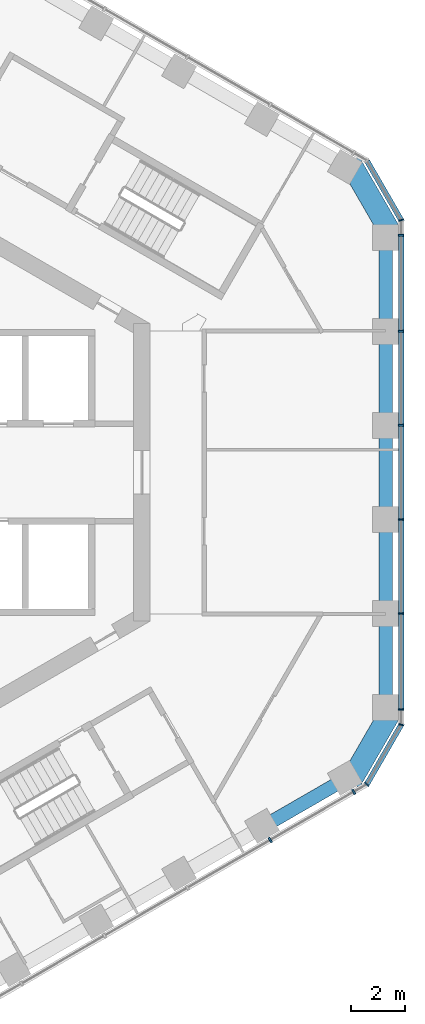
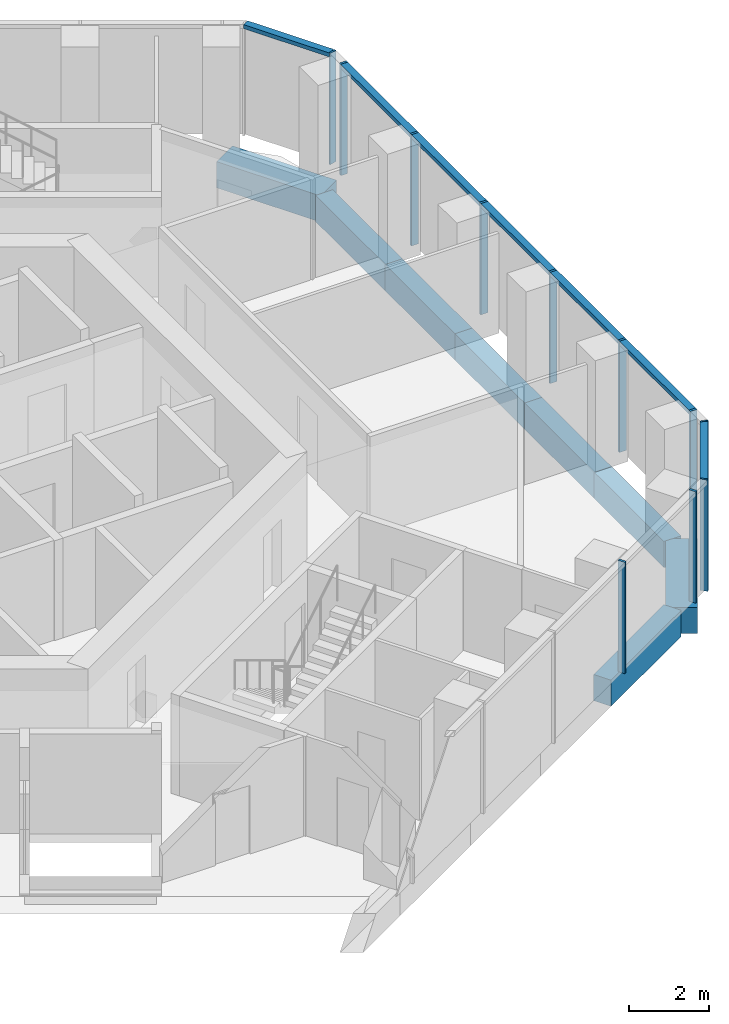
# One storey, part 5 of 19: 14 members, 8 beams, 4 elements without a shape of their own.
"""IFC4 building model written with IfcOpenShell, lengths in metres."""

from ifc_helpers import new_model, si_unit, direction, frame, origin, origin_2d, place, context, subcontext, project, spatial, rectangle, extrude, material, layer, layer_set, material_profile, profile_set, type_object, element, aggregate, save


model = new_model("IFC4")

# Units and contexts
model_context = context("Model", 3, precision=1e-05, world=origin(), true_north=direction((0.0, 1.0)))
body_context = subcontext(model_context, "Body", "Model", "MODEL_VIEW")
ifc_project = project(units=[si_unit("LENGTHUNIT", "METRE"), si_unit("AREAUNIT", "SQUARE_METRE"), si_unit("VOLUMEUNIT", "CUBIC_METRE"), si_unit("PLANEANGLEUNIT", "RADIAN"), si_unit("MASSUNIT", "GRAM", prefix="KILO")], contexts=[model_context])

# Site, building, storey
site_placement = place(None, origin())
site = spatial("IfcSite", under=ifc_project, at=site_placement, CompositionType="ELEMENT")
building_placement = place(site_placement, origin())
building = spatial("IfcBuilding", under=site, at=building_placement, Name="Ayvan Gate Tower", CompositionType="ELEMENT")
storey_placement = place(building_placement, frame((0.0, 0.0, 156.10009765625)))
storey = spatial("IfcBuildingStorey", under=building, at=storey_placement, Name="L41", CompositionType="ELEMENT", Elevation=156.10009765625)

# Beams
ifc_material_1 = material(Name="Concrete C40/50", Category="concrete")
ifc_material_profile_1 = material_profile(ifc_material_1, rectangle(XDim=0.800048828125, YDim=0.800048828125, at=origin_2d()), Name="RC 800x800")
ifc_profile_set_1 = profile_set([ifc_material_profile_1], Name="Concrete C40/50")
beam_type_1 = type_object("IfcBeamType", Name="Corner spandrel beam RC 800x800 C40/50", PredefinedType="BEAM", material=ifc_profile_set_1)
for number, where, z_axis, x_axis, name in (
    (1, (18.376953125, 8.824462890625, -0.75), (-0.499990139034, 0.866031096941, 0.0), (-0.866031096941, -0.499990139034, 0.0), "SB-L41-6"),
    (2, (16.876953125, -11.422607421875, -0.75), (0.499990139034, 0.866031096941, 0.0), (-0.866031096941, 0.499990139034, 0.0), "SB-L41-36"),
):
    element("IfcBeam", number, at=place(storey_placement, frame(where, z_axis=z_axis, x_axis=x_axis)), inside=storey, type_object=beam_type_1, Name=name, PredefinedType="BEAM", context=body_context, shape_type="SweptSolid", body=[
        extrude(rectangle(XDim=0.800048828125, YDim=0.800048828125, at=origin_2d()), origin(), (0.0, 0.0, 1.0), 3.0),
    ])
ifc_material_profile_2 = material_profile(ifc_material_1, rectangle(XDim=0.5, YDim=0.800048828125, at=origin_2d()), Name="RC 500x800")
ifc_profile_set_2 = profile_set([ifc_material_profile_2], Name="Concrete C40/50")
beam_type_2 = type_object("IfcBeamType", Name="Spandrel beam RC 500x800 C40/50", PredefinedType="BEAM", material=ifc_profile_set_2)
for number, where, z_axis, x_axis, name in (
    (3, (18.1865234375, -8.714599609375, -0.75), (0.0, 1.0, 0.0), (-1.0, 0.0, 0.0), "SB-L41-1"),
    (4, (18.1865234375, -5.228759765625, -0.75), (0.0, 1.0, 0.0), (-1.0, 0.0, 0.0), "SB-L41-2"),
    (5, (18.1865234375, -1.742919921875, -0.75), (0.0, 1.0, 0.0), (-1.0, 0.0, 0.0), "SB-L41-3"),
    (6, (18.1865234375, 1.742919921875, -0.75), (0.0, 1.0, 0.0), (-1.0, 0.0, 0.0), "SB-L41-4"),
    (7, (18.1865234375, 5.228759765625, -0.75), (0.0, 1.0, 0.0), (-1.0, 0.0, 0.0), "SB-L41-5"),
):
    element("IfcBeam", number, at=place(storey_placement, frame(where, z_axis=z_axis, x_axis=x_axis)), inside=storey, type_object=beam_type_2, Name=name, PredefinedType="BEAM", context=body_context, shape_type="SweptSolid", body=[
        extrude(rectangle(XDim=0.5, YDim=0.800048828125, at=origin_2d()), origin(), (0.0, 0.0, 1.0), 3.48583984375),
    ])
beam_placement = place(storey_placement, frame((13.639892578125, -13.071533203125, -0.75), z_axis=(0.866018011611, 0.500012803402, 0.0), x_axis=(-0.500012803402, 0.866018011611, 0.0)))
element("IfcBeam", 8, at=beam_placement, inside=storey, type_object=beam_type_2, Name="SB-L41-35", PredefinedType="BEAM", context=body_context, shape_type="SweptSolid", body=[
    extrude(rectangle(XDim=0.5, YDim=0.800048828125, at=origin_2d()), origin(), (0.0, 0.0, 1.0), 3.51806640625),
])

# Curtain wall, members
ifc_material_2 = material(Name="Bronze anodised aluminium", Category="aluminium")
ifc_layer_1 = layer(ifc_material_2, 0.199951171875)
ifc_layer_set_1 = layer_set([ifc_layer_1], Name="Bronze anodised aluminium")
curtain_wall_type_1 = type_object("IfcCurtainWallType", Name="Stick curtain wall CW-2", PredefinedType="NOTDEFINED", material=ifc_layer_set_1)
curtain_wall_1_placement = place(storey_placement, origin())
curtain_wall_1 = element("IfcCurtainWall", 9, at=curtain_wall_1_placement, inside=storey, type_object=curtain_wall_type_1, Name="Stick curtain wall CW-2 L41", PredefinedType="NOTDEFINED")
ifc_material_profile_3 = material_profile(ifc_material_2, rectangle(XDim=0.199951171875, YDim=0.070068359375, at=origin_2d()), Name="Stick curtain wall CW-2 mullion 200 x 70")
ifc_profile_set_3 = profile_set([ifc_material_profile_3], Name="Bronze anodised aluminium")
member_type_1 = type_object("IfcMemberType", Name="Stick curtain wall CW-2 mullion 200 x 70", PredefinedType="MULLION", material=ifc_profile_set_3)
member_1_placement = place(storey_placement, frame((13.93408203125, -13.550537109375, 0.0), z_axis=(0.0, 0.0, 1.0), x_axis=(0.5, -0.866025403784, 0.0)))
member_1 = element("IfcMember", 10, at=member_1_placement, type_object=member_type_1, Name="CW-2 mullion 5", PredefinedType="MULLION", context=body_context, shape_type="SweptSolid", body=[
    extrude(rectangle(XDim=0.199951171875, YDim=0.070068359375, at=origin_2d()), origin(), (0.0, 0.0, 1.0), 3.39990234375),
])
member_2_placement = place(storey_placement, frame((17.00927734375, -11.775146484375, 0.0), z_axis=(0.0, 0.0, 1.0), x_axis=(0.5, -0.866025403784, 0.0)))
member_2 = element("IfcMember", 11, at=member_2_placement, type_object=member_type_1, Name="CW-2 mullion 6", PredefinedType="MULLION", context=body_context, shape_type="SweptSolid", body=[
    extrude(rectangle(XDim=0.199951171875, YDim=0.070068359375, at=origin_2d()), origin(), (0.0, 0.0, 1.0), 3.39990234375),
])
aggregate(curtain_wall_1, [member_1, member_2])

curtain_wall_2_placement = place(storey_placement, origin())
curtain_wall_2 = element("IfcCurtainWall", 12, at=curtain_wall_2_placement, inside=storey, type_object=curtain_wall_type_1, Name="Stick curtain wall CW-2 L41", PredefinedType="NOTDEFINED")
member_3_placement = place(storey_placement, frame((18.761474609375, -8.740234375, 0.0), z_axis=(0.0, 0.0, 1.0), x_axis=(1.0, 0.0, 0.0)))
member_3 = element("IfcMember", 13, at=member_3_placement, type_object=member_type_1, Name="CW-2 mullion 1", PredefinedType="MULLION", context=body_context, shape_type="SweptSolid", body=[
    extrude(rectangle(XDim=0.199951171875, YDim=0.070068359375, at=origin_2d()), origin(), (0.0, 0.0, 1.0), 3.39990234375),
])
member_4_placement = place(storey_placement, frame((18.761474609375, -5.19921875, 0.0), z_axis=(0.0, 0.0, 1.0), x_axis=(1.0, 0.0, 0.0)))
member_4 = element("IfcMember", 14, at=member_4_placement, type_object=member_type_1, Name="CW-2 mullion 2", PredefinedType="MULLION", context=body_context, shape_type="SweptSolid", body=[
    extrude(rectangle(XDim=0.199951171875, YDim=0.070068359375, at=origin_2d()), origin(), (0.0, 0.0, 1.0), 3.39990234375),
])
member_5_placement = place(storey_placement, frame((18.761474609375, -1.733154296875, 0.0), z_axis=(0.0, 0.0, 1.0), x_axis=(1.0, 0.0, 0.0)))
member_5 = element("IfcMember", 15, at=member_5_placement, type_object=member_type_1, Name="CW-2 mullion 3", PredefinedType="MULLION", context=body_context, shape_type="SweptSolid", body=[
    extrude(rectangle(XDim=0.199951171875, YDim=0.070068359375, at=origin_2d()), origin(), (0.0, 0.0, 1.0), 3.39990234375),
])
member_6_placement = place(storey_placement, frame((18.761474609375, 1.73291015625, 0.0), z_axis=(0.0, 0.0, 1.0), x_axis=(1.0, 0.0, 0.0)))
member_6 = element("IfcMember", 16, at=member_6_placement, type_object=member_type_1, Name="CW-2 mullion 4", PredefinedType="MULLION", context=body_context, shape_type="SweptSolid", body=[
    extrude(rectangle(XDim=0.199951171875, YDim=0.070068359375, at=origin_2d()), origin(), (0.0, 0.0, 1.0), 3.39990234375),
])
member_7_placement = place(storey_placement, frame((18.761474609375, 5.198974609375, 0.0), z_axis=(0.0, 0.0, 1.0), x_axis=(1.0, 0.0, 0.0)))
member_7 = element("IfcMember", 17, at=member_7_placement, type_object=member_type_1, Name="CW-2 mullion 5", PredefinedType="MULLION", context=body_context, shape_type="SweptSolid", body=[
    extrude(rectangle(XDim=0.199951171875, YDim=0.070068359375, at=origin_2d()), origin(), (0.0, 0.0, 1.0), 3.39990234375),
])
member_8_placement = place(storey_placement, frame((18.761474609375, 8.740234375, 0.0), z_axis=(0.0, 0.0, 1.0), x_axis=(1.0, 0.0, 0.0)))
member_8 = element("IfcMember", 18, at=member_8_placement, type_object=member_type_1, Name="CW-2 mullion 6", PredefinedType="MULLION", context=body_context, shape_type="SweptSolid", body=[
    extrude(rectangle(XDim=0.199951171875, YDim=0.070068359375, at=origin_2d()), origin(), (0.0, 0.0, 1.0), 3.39990234375),
])
ifc_material_profile_4 = material_profile(ifc_material_2, rectangle(XDim=0.199951171875, YDim=0.1201171875, at=origin_2d()), Name="Stick curtain wall CW-2 transom 200 x 120")
ifc_profile_set_4 = profile_set([ifc_material_profile_4], Name="Bronze anodised aluminium")
member_type_2 = type_object("IfcMemberType", Name="Stick curtain wall CW-2 transom 200 x 120", PredefinedType="USERDEFINED", material=ifc_profile_set_4)
member_9_placement = place(storey_placement, frame((18.761474609375, -8.740234375, 3.33984375), z_axis=(0.0, 1.0, 0.0), x_axis=(-1.0, 0.0, 0.0)))
member_9 = element("IfcMember", 19, at=member_9_placement, type_object=member_type_2, Name="CW-2 transom 1", ObjectType="TRANSOM", PredefinedType="USERDEFINED", context=body_context, shape_type="SweptSolid", body=[
    extrude(rectangle(XDim=0.199951171875, YDim=0.1201171875, at=origin_2d()), origin(), (0.0, 0.0, 1.0), 17.48046875),
])
aggregate(curtain_wall_2, [member_3, member_4, member_5, member_6, member_7, member_8, member_9])

ifc_layer_2 = layer(ifc_material_2, 0.199951171875)
ifc_layer_set_2 = layer_set([ifc_layer_2], Name="Bronze anodised aluminium")
curtain_wall_type_2 = type_object("IfcCurtainWallType", Name="Stick curtain wall CW-6", PredefinedType="NOTDEFINED", material=ifc_layer_set_2)
curtain_wall_3_placement = place(storey_placement, origin())
curtain_wall_3 = element("IfcCurtainWall", 20, at=curtain_wall_3_placement, inside=storey, type_object=curtain_wall_type_2, Name="Stick curtain wall CW-6 L41", PredefinedType="NOTDEFINED")
ifc_material_profile_5 = material_profile(ifc_material_2, rectangle(XDim=0.199951171875, YDim=0.050048828125, at=origin_2d()), Name="Stick curtain wall CW-6 mullion 200 x 50")
ifc_profile_set_5 = profile_set([ifc_material_profile_5], Name="Bronze anodised aluminium")
member_type_3 = type_object("IfcMemberType", Name="Stick curtain wall CW-6 mullion 200 x 50", PredefinedType="MULLION", material=ifc_profile_set_5)
member_10_placement = place(storey_placement, frame((17.494140625, -11.4951171875, 0.0), z_axis=(0.0, 0.0, 1.0), x_axis=(0.707106781187, -0.707106781187, 0.0)))
member_10 = element("IfcMember", 21, at=member_10_placement, type_object=member_type_3, Name="CW-6 mullion 2", PredefinedType="MULLION", context=body_context, shape_type="SweptSolid", body=[
    extrude(rectangle(XDim=0.199951171875, YDim=0.050048828125, at=origin_2d()), origin(), (0.0, 0.0, 1.0), 3.39990234375),
])
member_11_placement = place(storey_placement, frame((18.761474609375, -9.300048828125, 0.0), z_axis=(0.0, 0.0, 1.0), x_axis=(0.965925826289, -0.258819045103, 0.0)))
member_11 = element("IfcMember", 22, at=member_11_placement, type_object=member_type_3, Name="CW-6 mullion 3", PredefinedType="MULLION", context=body_context, shape_type="SweptSolid", body=[
    extrude(rectangle(XDim=0.199951171875, YDim=0.050048828125, at=origin_2d()), origin(), (0.0, 0.0, 1.0), 3.39990234375),
])

# Curtain wall, member
curtain_wall_4_placement = place(storey_placement, origin())
curtain_wall_4 = element("IfcCurtainWall", 23, at=curtain_wall_4_placement, inside=storey, type_object=curtain_wall_type_2, Name="Stick curtain wall CW-6 L41", PredefinedType="NOTDEFINED")
member_12_placement = place(storey_placement, frame((18.761474609375, 9.300048828125, 0.0), z_axis=(0.0, 0.0, 1.0), x_axis=(0.965925826289, 0.258819045103, 0.0)))
member_12 = element("IfcMember", 24, at=member_12_placement, type_object=member_type_3, Name="CW-6 mullion 2", PredefinedType="MULLION", context=body_context, shape_type="SweptSolid", body=[
    extrude(rectangle(XDim=0.199951171875, YDim=0.050048828125, at=origin_2d()), origin(), (0.0, 0.0, 1.0), 3.39990234375),
])

# Member
ifc_material_profile_6 = material_profile(ifc_material_2, rectangle(XDim=0.199951171875, YDim=0.1201171875, at=origin_2d()), Name="Stick curtain wall CW-6 transom 200 x 120")
ifc_profile_set_6 = profile_set([ifc_material_profile_6], Name="Bronze anodised aluminium")
member_type_4 = type_object("IfcMemberType", Name="Stick curtain wall CW-6 transom 200 x 120", PredefinedType="USERDEFINED", material=ifc_profile_set_6)
member_13_placement = place(storey_placement, frame((17.5068359375, -11.473388671875, 3.33984375), z_axis=(0.499986149909, 0.86603339999, 0.0), x_axis=(-0.86603339999, 0.499986149909, 0.0)))
member_13 = element("IfcMember", 25, at=member_13_placement, type_object=member_type_4, Name="CW-6 transom 2", ObjectType="TRANSOM", PredefinedType="USERDEFINED", context=body_context, shape_type="SweptSolid", body=[
    extrude(rectangle(XDim=0.199951171875, YDim=0.1201171875, at=origin_2d()), origin(), (0.0, 0.0, 1.0), 2.484375),
])

aggregate(curtain_wall_3, [member_10, member_11, member_13])

member_14_placement = place(storey_placement, frame((18.7490234375, 9.32177734375, 3.33984375), z_axis=(-0.499986149909, 0.86603339999, 0.0), x_axis=(-0.86603339999, -0.499986149909, 0.0)))
member_14 = element("IfcMember", 26, at=member_14_placement, type_object=member_type_4, Name="CW-6 transom 2", ObjectType="TRANSOM", PredefinedType="USERDEFINED", context=body_context, shape_type="SweptSolid", body=[
    extrude(rectangle(XDim=0.199951171875, YDim=0.1201171875, at=origin_2d()), origin(), (0.0, 0.0, 1.0), 2.484375),
])

aggregate(curtain_wall_4, [member_12, member_14])

save(model, "model.ifc")
